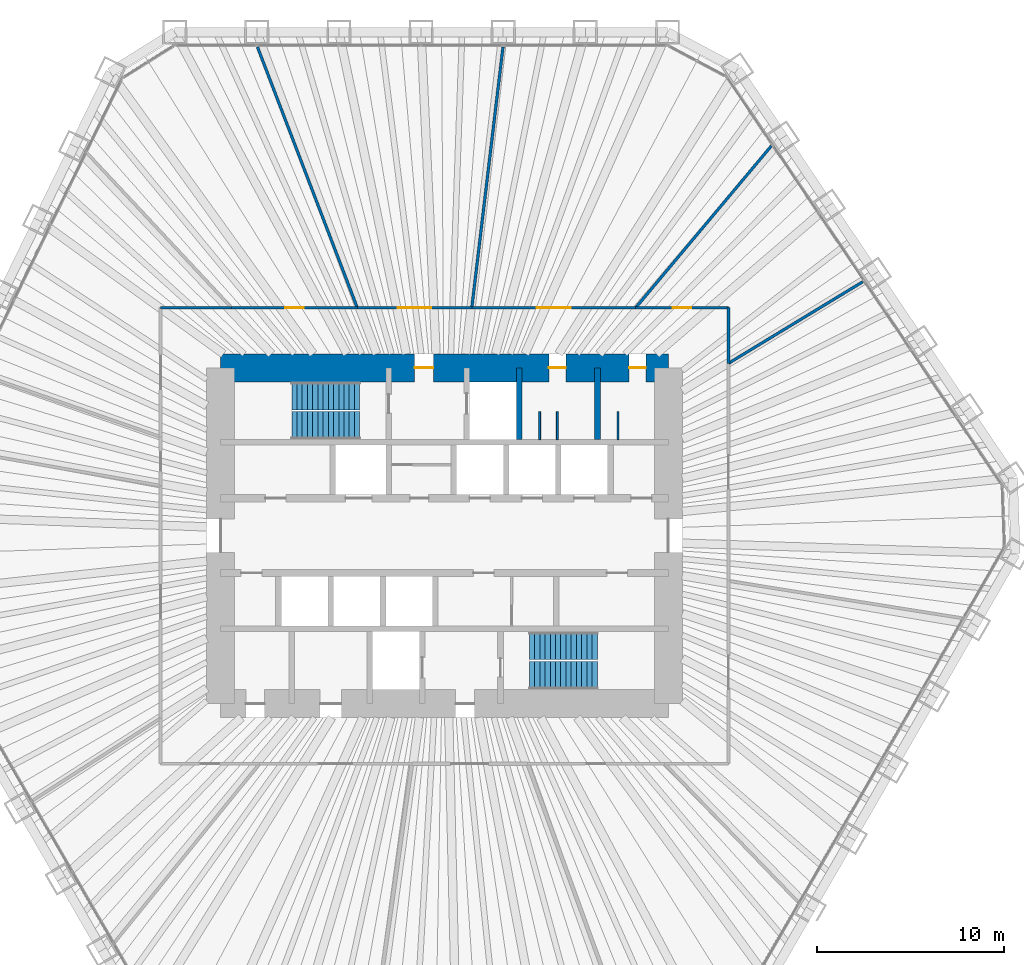
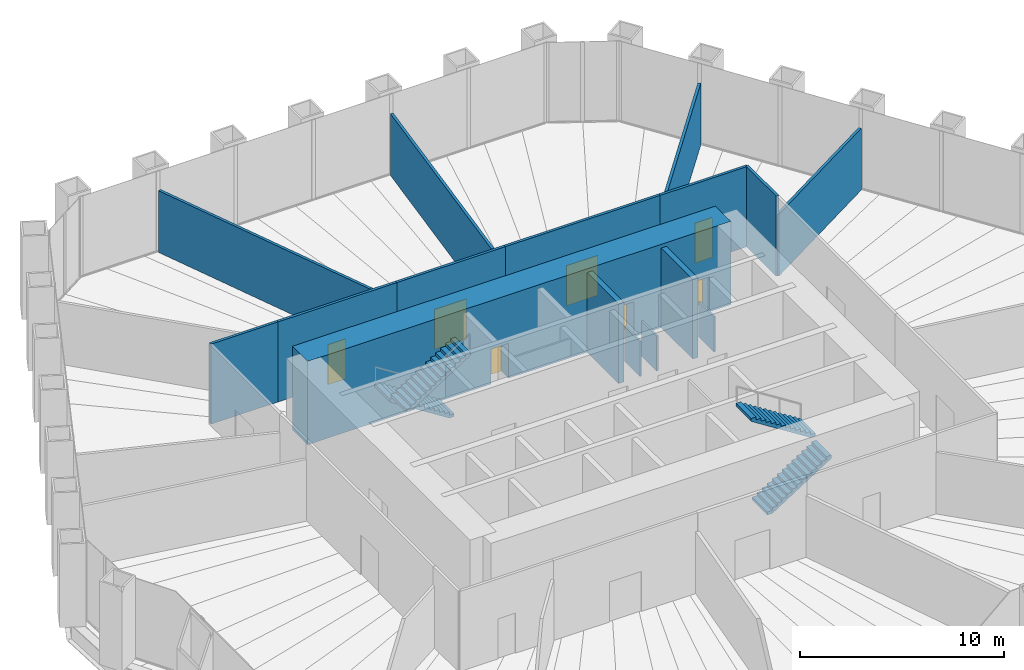
# One storey, part 12 of 13: 16 walls, 7 doors, 4 stair flights, 7 openings, 2 elements without a shape of their own.
"""IFC4 building model written with IfcOpenShell, lengths in metres."""

from ifc_helpers import new_model, si_unit, direction, frame, frame_2d, origin, place, context, subcontext, project, spatial, polyline, rectangle, outline, extrude, material, layer, layer_set, type_object, element, fill, aggregate, save


model = new_model("IFC4")

# Units and contexts
model_context = context("Model", 3, precision=1e-05, world=origin(), true_north=direction((0.0, 1.0)))
body_context = subcontext(model_context, "Body", "Model", "MODEL_VIEW")
ifc_project = project(units=[si_unit("LENGTHUNIT", "METRE"), si_unit("AREAUNIT", "SQUARE_METRE"), si_unit("VOLUMEUNIT", "CUBIC_METRE"), si_unit("PLANEANGLEUNIT", "RADIAN"), si_unit("MASSUNIT", "GRAM", prefix="KILO")], contexts=[model_context])

# Site, building, storey
site_placement = place(None, origin())
site = spatial("IfcSite", under=ifc_project, at=site_placement, CompositionType="ELEMENT")
building_placement = place(site_placement, origin())
building = spatial("IfcBuilding", under=site, at=building_placement, Name="Qingtian Harvest Tower", CompositionType="ELEMENT")
storey_placement = place(building_placement, frame((0.0, 0.0, 87.0)))
storey = spatial("IfcBuildingStorey", under=building, at=storey_placement, Name="L17", CompositionType="ELEMENT", Elevation=87.0)

# Walls
ifc_material_1 = material(Name="Precast concrete shaft panel", Category="concrete")
ifc_layer_1 = layer(ifc_material_1, 0.300048828125)
ifc_layer_set_1 = layer_set([ifc_layer_1], Name="Core shaft partition SW1 300")
wall_type_1 = type_object("IfcWallType", Name="Core shaft partition SW1 300", PredefinedType="PARTITIONING", material=ifc_layer_set_1)
for number, where, z_axis, x_axis, name in (
    (1, (4.0, 5.14990234375, 0.0), (0.0, 0.0, 1.0), (0.0, 1.0, 0.0), "Core shaft partition XN3 L17"),
    (2, (8.199951171875, 5.14990234375, 0.0), (0.0, 0.0, 1.0), (0.0, 1.0, 0.0), "Core shaft partition XN4 L17"),
):
    element("IfcWall", number, at=place(storey_placement, frame(where, z_axis=z_axis, x_axis=x_axis)), inside=storey, type_object=wall_type_1, Name=name, PredefinedType="PARTITIONING", context=body_context, shape_type="SweptSolid", body=[
        extrude(rectangle(XDim=3.85009765625, YDim=0.300048828125, at=frame_2d((1.925048828125, 0.0))), origin(), (0.0, 0.0, 1.0), 4.780029296875),
    ])

# Wall, openings, doors
ifc_material_2 = material(Name="Concrete fc' 70 MPa", Category="concrete")
ifc_layer_2 = layer(ifc_material_2, 1.5)
ifc_layer_set_2 = layer_set([ifc_layer_2], Name="Core wall RC1 1500")
wall_type_2 = type_object("IfcWallType", Name="Core wall RC1 1500", PredefinedType="SHEAR", material=ifc_layer_set_2)
wall_1_placement = place(storey_placement, frame((-12.0, 9.0, 0.0), z_axis=(0.0, 0.0, 1.0), x_axis=(1.0, 0.0, 0.0)))
wall_1 = element("IfcWall", 3, at=wall_1_placement, inside=storey, type_object=wall_type_2, Name="Core wall CN L17", PredefinedType="SHEAR", context=body_context, shape_type="SweptSolid", body=[
    extrude(rectangle(XDim=24.0, YDim=1.5, at=frame_2d((12.0, 0.0))), origin(), (0.0, 0.0, 1.0), 5.0),
])
opening_1_placement = place(wall_1_placement, frame((10.39990234375, 0.0, 0.0)))
opening_1 = element("IfcOpeningElement", 4, at=opening_1_placement, cuts=wall_1, Name="Opening FD1", PredefinedType="OPENING", context=body_context, shape_type="SweptSolid", body=[
    extrude(rectangle(XDim=1.0, YDim=2.10009765625, at=frame_2d((0.5, 1.050048828125))), frame((0.0, 0.760009765625, 0.0), z_axis=(0.0, -1.0, 0.0), x_axis=(1.0, 0.0, 0.0)), (0.0, 0.0, 1.0), 1.52001953125),
])
opening_2_placement = place(wall_1_placement, frame((17.60009765625, 0.0, 0.0)))
opening_2 = element("IfcOpeningElement", 5, at=opening_2_placement, cuts=wall_1, Name="Opening D1", PredefinedType="OPENING", context=body_context, shape_type="SweptSolid", body=[
    extrude(rectangle(XDim=0.89990234375, YDim=2.10009765625, at=frame_2d((0.449951171875, 1.050048828125))), frame((0.0, 0.760009765625, 0.0), z_axis=(0.0, -1.0, 0.0), x_axis=(1.0, 0.0, 0.0)), (0.0, 0.0, 1.0), 1.52001953125),
])
opening_3_placement = place(wall_1_placement, frame((21.89990234375, 0.0, 0.0)))
opening_3 = element("IfcOpeningElement", 6, at=opening_3_placement, cuts=wall_1, Name="Opening D1", PredefinedType="OPENING", context=body_context, shape_type="SweptSolid", body=[
    extrude(rectangle(XDim=0.89990234375, YDim=2.10009765625, at=frame_2d((0.449951171875, 1.050048828125))), frame((0.0, 0.760009765625, 0.0), z_axis=(0.0, -1.0, 0.0), x_axis=(1.0, 0.0, 0.0)), (0.0, 0.0, 1.0), 1.52001953125),
])
ifc_material_3 = material(Name="Steel-faced door leaf", Category="steel")
door_type_1 = type_object("IfcDoorType", Name="Fire door FD1 single 1 HR", OperationType="SINGLE_SWING_LEFT", PredefinedType="DOOR", material=ifc_material_3)
door_1_placement = place(opening_1_placement, origin())
door_1 = element("IfcDoor", 7, at=door_1_placement, inside=storey, type_object=door_type_1, Name="V1 door L17", OperationType="SINGLE_SWING_RIGHT", OverallHeight=2.10009765625, OverallWidth=1.0, PredefinedType="DOOR", context=body_context, shape_type="SweptSolid", body=[
    extrude(rectangle(XDim=1.0, YDim=2.10009765625, at=frame_2d((0.5, 1.050048828125))), frame((0.0, 0.02490234375, 0.0), z_axis=(0.0, -1.0, 0.0), x_axis=(1.0, 0.0, 0.0)), (0.0, 0.0, 1.0), 0.050048828125),
])
fill(opening_1, door_1)
ifc_material_4 = material(Name="Laminated timber door leaf", Category="wood")
door_type_2 = type_object("IfcDoorType", Name="Toilet door D1 single", OperationType="SINGLE_SWING_LEFT", PredefinedType="DOOR", material=ifc_material_4)
door_2_placement = place(opening_2_placement, origin())
door_2 = element("IfcDoor", 8, at=door_2_placement, inside=storey, type_object=door_type_2, Name="WCM door L17", OperationType="SINGLE_SWING_RIGHT", OverallHeight=2.10009765625, OverallWidth=0.89990234375, PredefinedType="DOOR", context=body_context, shape_type="SweptSolid", body=[
    extrude(rectangle(XDim=0.89990234375, YDim=2.10009765625, at=frame_2d((0.449951171875, 1.050048828125))), frame((0.0, 0.02490234375, 0.0), z_axis=(0.0, -1.0, 0.0), x_axis=(1.0, 0.0, 0.0)), (0.0, 0.0, 1.0), 0.050048828125),
])
fill(opening_2, door_2)
door_3_placement = place(opening_3_placement, origin())
door_3 = element("IfcDoor", 9, at=door_3_placement, inside=storey, type_object=door_type_2, Name="WCF door L17", OperationType="SINGLE_SWING_RIGHT", OverallHeight=2.10009765625, OverallWidth=0.89990234375, PredefinedType="DOOR", context=body_context, shape_type="SweptSolid", body=[
    extrude(rectangle(XDim=0.89990234375, YDim=2.10009765625, at=frame_2d((0.449951171875, 1.050048828125))), frame((0.0, 0.02490234375, 0.0), z_axis=(0.0, -1.0, 0.0), x_axis=(1.0, 0.0, 0.0)), (0.0, 0.0, 1.0), 0.050048828125),
])
fill(opening_3, door_3)

# Wall
ifc_material_5 = material(Name="Gypsum board on steel studs", Category="steel")
ifc_layer_3 = layer(ifc_material_5, 0.14990234375)
ifc_layer_set_3 = layer_set([ifc_layer_3], Name="Partition PT1 150")
wall_type_3 = type_object("IfcWallType", Name="Partition PT1 150", PredefinedType="PARTITIONING", material=ifc_layer_set_3)
wall_2_placement = place(storey_placement, frame((-10.031005859375, 26.20654296875, 0.0), z_axis=(0.0, 0.0, 1.0), x_axis=(0.357470544466, -0.933924413344, 0.0)))
element("IfcWall", 10, at=wall_2_placement, inside=storey, type_object=wall_type_3, Name="Leafy greens growing room wall L17", PredefinedType="PARTITIONING", context=body_context, shape_type="SweptSolid", body=[
    extrude(rectangle(XDim=14.970703125, YDim=0.14990234375, at=frame_2d((7.4853515625, 0.0))), origin(), (0.0, 0.0, 1.0), 3.699951171875),
])

# Wall, opening, door
wall_3_placement = place(storey_placement, frame((-4.679443359375, 12.22509765625, 0.0), z_axis=(0.0, 0.0, 1.0), x_axis=(1.0, 0.0, 0.0)))
wall_3 = element("IfcWall", 11, at=wall_3_placement, inside=storey, type_object=wall_type_3, Name="Leafy greens growing room wall L17", PredefinedType="PARTITIONING", context=body_context, shape_type="SweptSolid", body=[
    extrude(rectangle(XDim=6.142333984375, YDim=0.14990234375, at=frame_2d((3.0712890625, 0.0))), origin(), (0.0, 0.0, 1.0), 4.800048828125),
])
opening_4_placement = place(wall_3_placement, frame((2.171142578125, 0.0, 0.0)))
opening_4 = element("IfcOpeningElement", 12, at=opening_4_placement, cuts=wall_3, Name="Opening D3", PredefinedType="OPENING", context=body_context, shape_type="SweptSolid", body=[
    extrude(rectangle(XDim=1.800048828125, YDim=2.39990234375, at=frame_2d((0.89990234375, 1.199951171875))), frame((0.0, 0.0849609375, 0.0), z_axis=(0.0, -1.0, 0.0), x_axis=(1.0, 0.0, 0.0)), (0.0, 0.0, 1.0), 0.169921875),
])
ifc_material_6 = material(Name="Laminated timber door leaf", Category="wood")
door_type_3 = type_object("IfcDoorType", Name="Room door D3 double", OperationType="DOUBLE_DOOR_DOUBLE_SWING", PredefinedType="DOOR", material=ifc_material_6)
door_4_placement = place(opening_4_placement, origin())
door_4 = element("IfcDoor", 13, at=door_4_placement, inside=storey, type_object=door_type_3, Name="Leafy greens growing room door L17", OperationType="DOUBLE_DOOR_DOUBLE_SWING", OverallHeight=2.39990234375, OverallWidth=1.800048828125, PredefinedType="DOOR", context=body_context, shape_type="SweptSolid", body=[
    extrude(rectangle(XDim=1.800048828125, YDim=2.39990234375, at=frame_2d((0.89990234375, 1.199951171875))), frame((0.0, 0.02490234375, 0.0), z_axis=(0.0, -1.0, 0.0), x_axis=(1.0, 0.0, 0.0)), (0.0, 0.0, 1.0), 0.050048828125),
])
fill(opening_4, door_4)

# Wall
wall_4_placement = place(storey_placement, frame((3.135009765625, 26.20068359375, 0.0), z_axis=(0.0, 0.0, 1.0), x_axis=(-0.118798442734, -0.992918390405, 0.0)))
element("IfcWall", 14, at=wall_4_placement, inside=storey, type_object=wall_type_3, Name="Seedling nursery wall L17", PredefinedType="PARTITIONING", context=body_context, shape_type="SweptSolid", body=[
    extrude(rectangle(XDim=14.0751953125, YDim=0.14990234375, at=frame_2d((7.03759765625, 0.0))), origin(), (0.0, 0.0, 1.0), 3.699951171875),
])

# Wall, opening, door
wall_5_placement = place(storey_placement, frame((1.462890625, 12.22509765625, 0.0), z_axis=(0.0, 0.0, 1.0), x_axis=(1.0, 0.0, 0.0)))
wall_5 = element("IfcWall", 15, at=wall_5_placement, inside=storey, type_object=wall_type_3, Name="Seedling nursery wall L17", PredefinedType="PARTITIONING", context=body_context, shape_type="SweptSolid", body=[
    extrude(rectangle(XDim=8.78759765625, YDim=0.14990234375, at=frame_2d((4.393798828125, 0.0))), origin(), (0.0, 0.0, 1.0), 4.800048828125),
])
opening_5_placement = place(wall_5_placement, frame((3.493896484375, 0.0, 0.0)))
opening_5 = element("IfcOpeningElement", 16, at=opening_5_placement, cuts=wall_5, Name="Opening D3", PredefinedType="OPENING", context=body_context, shape_type="SweptSolid", body=[
    extrude(rectangle(XDim=1.800048828125, YDim=2.39990234375, at=frame_2d((0.89990234375, 1.199951171875))), frame((0.0, 0.0849609375, 0.0), z_axis=(0.0, -1.0, 0.0), x_axis=(1.0, 0.0, 0.0)), (0.0, 0.0, 1.0), 0.169921875),
])
door_5_placement = place(opening_5_placement, origin())
door_5 = element("IfcDoor", 17, at=door_5_placement, inside=storey, type_object=door_type_3, Name="Seedling nursery door L17", OperationType="DOUBLE_DOOR_DOUBLE_SWING", OverallHeight=2.39990234375, OverallWidth=1.800048828125, PredefinedType="DOOR", context=body_context, shape_type="SweptSolid", body=[
    extrude(rectangle(XDim=1.800048828125, YDim=2.39990234375, at=frame_2d((0.89990234375, 1.199951171875))), frame((0.0, 0.02490234375, 0.0), z_axis=(0.0, -1.0, 0.0), x_axis=(1.0, 0.0, 0.0)), (0.0, 0.0, 1.0), 0.050048828125),
])
fill(opening_5, door_5)

# Wall
wall_6_placement = place(storey_placement, frame((17.5166015625, 20.890625, 0.0), z_axis=(0.0, 0.0, 1.0), x_axis=(-0.642521498084, -0.766267658524, 0.0)))
element("IfcWall", 18, at=wall_6_placement, inside=storey, type_object=wall_type_3, Name="Nutrient dosing room wall L17", PredefinedType="PARTITIONING", context=body_context, shape_type="SweptSolid", body=[
    extrude(rectangle(XDim=11.308837890625, YDim=0.14990234375, at=frame_2d((5.654296875, 0.0))), origin(), (0.0, 0.0, 1.0), 3.699951171875),
])

# Wall, opening, door
wall_7_placement = place(storey_placement, frame((10.25048828125, 12.22509765625, 0.0), z_axis=(0.0, 0.0, 1.0), x_axis=(1.0, 0.0, 0.0)))
wall_7 = element("IfcWall", 19, at=wall_7_placement, inside=storey, type_object=wall_type_3, Name="Nutrient dosing room wall L17", PredefinedType="PARTITIONING", context=body_context, shape_type="SweptSolid", body=[
    extrude(rectangle(XDim=4.974609375, YDim=0.14990234375, at=frame_2d((2.4873046875, 0.0))), origin(), (0.0, 0.0, 1.0), 4.800048828125),
])
opening_6_placement = place(wall_7_placement, frame((1.9873046875, 0.0, 0.0)))
opening_6 = element("IfcOpeningElement", 20, at=opening_6_placement, cuts=wall_7, Name="Opening D2", PredefinedType="OPENING", context=body_context, shape_type="SweptSolid", body=[
    extrude(rectangle(XDim=1.0, YDim=2.39990234375, at=frame_2d((0.5, 1.199951171875))), frame((0.0, 0.0849609375, 0.0), z_axis=(0.0, -1.0, 0.0), x_axis=(1.0, 0.0, 0.0)), (0.0, 0.0, 1.0), 0.169921875),
])
ifc_material_7 = material(Name="Laminated timber door leaf", Category="wood")
door_type_4 = type_object("IfcDoorType", Name="Room door D2 single", OperationType="SINGLE_SWING_LEFT", PredefinedType="DOOR", material=ifc_material_7)
door_6_placement = place(opening_6_placement, origin())
door_6 = element("IfcDoor", 21, at=door_6_placement, inside=storey, type_object=door_type_4, Name="Nutrient dosing room door L17", OperationType="SINGLE_SWING_LEFT", OverallHeight=2.39990234375, OverallWidth=1.0, PredefinedType="DOOR", context=body_context, shape_type="SweptSolid", body=[
    extrude(rectangle(XDim=1.0, YDim=2.39990234375, at=frame_2d((0.5, 1.199951171875))), frame((0.0, 0.02490234375, 0.0), z_axis=(0.0, -1.0, 0.0), x_axis=(1.0, 0.0, 0.0)), (0.0, 0.0, 1.0), 0.050048828125),
])
fill(opening_6, door_6)

# Walls
wall_8_placement = place(storey_placement, frame((15.22509765625, 12.22509765625, 0.0), z_axis=(0.0, 0.0, 1.0), x_axis=(0.0, -1.0, 0.0)))
element("IfcWall", 22, at=wall_8_placement, inside=storey, type_object=wall_type_3, Name="Nutrient dosing room wall L17", PredefinedType="PARTITIONING", context=body_context, shape_type="SweptSolid", body=[
    extrude(rectangle(XDim=2.98193359375, YDim=0.14990234375, at=frame_2d((1.490966796875, 0.0))), origin(), (0.0, 0.0, 1.0), 4.800048828125),
])
wall_9_placement = place(storey_placement, frame((22.42138671875, 13.6123046875, 0.0), z_axis=(0.0, 0.0, 1.0), x_axis=(-0.854789353023, -0.518975107263, 0.0)))
element("IfcWall", 23, at=wall_9_placement, inside=storey, type_object=wall_type_3, Name="Microgreens growing room wall L17", PredefinedType="PARTITIONING", context=body_context, shape_type="SweptSolid", body=[
    extrude(rectangle(XDim=8.418701171875, YDim=0.14990234375, at=frame_2d((4.20947265625, 0.0))), origin(), (0.0, 0.0, 1.0), 3.699951171875),
])
wall_10_placement = place(storey_placement, frame((-15.22509765625, 12.22509765625, 0.0), z_axis=(0.0, 0.0, 1.0), x_axis=(1.0, 0.0, 0.0)))
element("IfcWall", 24, at=wall_10_placement, inside=storey, type_object=wall_type_3, Name="Dispatch room wall L17", PredefinedType="PARTITIONING", context=body_context, shape_type="SweptSolid", body=[
    extrude(rectangle(XDim=3.80322265625, YDim=0.14990234375, at=frame_2d((1.901611328125, 0.0))), origin(), (0.0, 0.0, 1.0), 4.800048828125),
])

# Wall, opening, door
wall_11_placement = place(storey_placement, frame((-11.421875, 12.22509765625, 0.0), z_axis=(0.0, 0.0, 1.0), x_axis=(1.0, 0.0, 0.0)))
wall_11 = element("IfcWall", 25, at=wall_11_placement, inside=storey, type_object=wall_type_3, Name="Packaging store wall L17", PredefinedType="PARTITIONING", context=body_context, shape_type="SweptSolid", body=[
    extrude(rectangle(XDim=6.742431640625, YDim=0.14990234375, at=frame_2d((3.37109375, 0.0))), origin(), (0.0, 0.0, 1.0), 4.800048828125),
])
opening_7_placement = place(wall_11_placement, frame((2.871337890625, 0.0, 0.0)))
opening_7 = element("IfcOpeningElement", 26, at=opening_7_placement, cuts=wall_11, Name="Opening D2", PredefinedType="OPENING", context=body_context, shape_type="SweptSolid", body=[
    extrude(rectangle(XDim=1.0, YDim=2.39990234375, at=frame_2d((0.5, 1.199951171875))), frame((0.0, 0.0849609375, 0.0), z_axis=(0.0, -1.0, 0.0), x_axis=(1.0, 0.0, 0.0)), (0.0, 0.0, 1.0), 0.169921875),
])
door_7_placement = place(opening_7_placement, origin())
door_7 = element("IfcDoor", 27, at=door_7_placement, inside=storey, type_object=door_type_4, Name="Packaging store door L17", OperationType="SINGLE_SWING_LEFT", OverallHeight=2.39990234375, OverallWidth=1.0, PredefinedType="DOOR", context=body_context, shape_type="SweptSolid", body=[
    extrude(rectangle(XDim=1.0, YDim=2.39990234375, at=frame_2d((0.5, 1.199951171875))), frame((0.0, 0.02490234375, 0.0), z_axis=(0.0, -1.0, 0.0), x_axis=(1.0, 0.0, 0.0)), (0.0, 0.0, 1.0), 0.050048828125),
])
fill(opening_7, door_7)

# Walls
ifc_material_8 = material(Name="Compact laminate cubicle partition", Category="plastic")
ifc_layer_4 = layer(ifc_material_8, 0.10009765625)
ifc_layer_set_4 = layer_set([ifc_layer_4], Name="WC cubicle partition WP1 100")
wall_type_4 = type_object("IfcWallType", Name="WC cubicle partition WP1 100", PredefinedType="PARTITIONING", material=ifc_layer_set_4)
for number, where, z_axis, x_axis, name in (
    (28, (5.10009765625, 5.14990234375, 0.0), (0.0, 0.0, 1.0), (0.0, 1.0, 0.0), "WC cubicle partition WCM L17"),
    (29, (6.050048828125, 5.14990234375, 0.0), (0.0, 0.0, 1.0), (0.0, 1.0, 0.0), "WC cubicle partition WCM L17"),
    (30, (9.300048828125, 5.14990234375, 0.0), (0.0, 0.0, 1.0), (0.0, 1.0, 0.0), "WC cubicle partition WCF L17"),
):
    element("IfcWall", number, at=place(storey_placement, frame(where, z_axis=z_axis, x_axis=x_axis)), inside=storey, type_object=wall_type_4, Name=name, PredefinedType="PARTITIONING", context=body_context, shape_type="SweptSolid", body=[
        extrude(rectangle(XDim=1.5, YDim=0.10009765625, at=frame_2d((0.75, 0.0))), origin(), (0.0, 0.0, 1.0), 2.10009765625),
    ])

# Stair, stair flights
ifc_material_9 = material(Name="Concrete fc' 35 MPa", Category="concrete")
stair_type = type_object("IfcStairType", Name="Special stair ST2 5000", PredefinedType="HALF_TURN_STAIR", material=ifc_material_9)
stair_1_placement = place(storey_placement, origin())
stair_1 = element("IfcStair", 31, at=stair_1_placement, inside=storey, type_object=stair_type, Name="Special stair S1 L17", PredefinedType="HALF_TURN_STAIR")
ifc_material_10 = material(Name="Concrete fc' 35 MPa", Category="concrete")
stair_flight_type = type_object("IfcStairFlightType", Name="Stair flight SF2 5000", PredefinedType="STRAIGHT", material=ifc_material_10)
stair_flight_1_placement = place(storey_placement, frame((-4.550048828125, 7.5, 0.0), z_axis=(0.0, 0.0, 1.0), x_axis=(-1.0, 0.0, 0.0)))
stair_flight_1 = element("IfcStairFlight", 32, at=stair_flight_1_placement, type_object=stair_flight_type, Name="S1 flight 1", NumberOfRisers=14, NumberOfTreads=13, PredefinedType="STRAIGHT", RiserHeight=0.178571429, TreadLength=0.28, context=body_context, shape_type="SweptSolid", body=[
    extrude(outline(polyline([(0.0, 0.0), (0.0, 0.178466796875), (0.280029296875, 0.178466796875), (0.280029296875, 0.357177734375), (0.56005859375, 0.357177734375), (0.56005859375, 0.53564453125), (0.840087890625, 0.53564453125), (0.840087890625, 0.71435546875), (1.1201171875, 0.71435546875), (1.1201171875, 0.892822265625), (1.39990234375, 0.892822265625), (1.39990234375, 1.071533203125), (1.679931640625, 1.071533203125), (1.679931640625, 1.25), (1.9599609375, 1.25), (1.9599609375, 1.428466796875), (2.239990234375, 1.428466796875), (2.239990234375, 1.607177734375), (2.52001953125, 1.607177734375), (2.52001953125, 1.78564453125), (2.800048828125, 1.78564453125), (2.800048828125, 1.96435546875), (3.080078125, 1.96435546875), (3.080078125, 2.142822265625), (3.360107421875, 2.142822265625), (3.360107421875, 2.321533203125), (3.639892578125, 2.321533203125), (3.639892578125, 2.5), (3.639892578125, 2.1435546875), (0.27880859375, 0.0), (0.0, 0.0)])), frame((0.0, 0.75, 0.0), z_axis=(0.0, -1.0, 0.0), x_axis=(1.0, 0.0, 0.0)), (0.0, 0.0, 1.0), 1.5),
])
stair_flight_2_placement = place(storey_placement, frame((-8.18994140625, 5.89990234375, 2.5), z_axis=(0.0, 0.0, 1.0), x_axis=(1.0, 0.0, 0.0)))
stair_flight_2 = element("IfcStairFlight", 33, at=stair_flight_2_placement, type_object=stair_flight_type, Name="S1 flight 2", NumberOfRisers=14, NumberOfTreads=13, PredefinedType="STRAIGHT", RiserHeight=0.178571429, TreadLength=0.28, context=body_context, shape_type="SweptSolid", body=[
    extrude(outline(polyline([(0.0, 0.0), (0.0, 0.178466796875), (0.280029296875, 0.178466796875), (0.280029296875, 0.357177734375), (0.56005859375, 0.357177734375), (0.56005859375, 0.53564453125), (0.840087890625, 0.53564453125), (0.840087890625, 0.71435546875), (1.1201171875, 0.71435546875), (1.1201171875, 0.892822265625), (1.39990234375, 0.892822265625), (1.39990234375, 1.071533203125), (1.679931640625, 1.071533203125), (1.679931640625, 1.25), (1.9599609375, 1.25), (1.9599609375, 1.428466796875), (2.239990234375, 1.428466796875), (2.239990234375, 1.607177734375), (2.52001953125, 1.607177734375), (2.52001953125, 1.78564453125), (2.800048828125, 1.78564453125), (2.800048828125, 1.96435546875), (3.080078125, 1.96435546875), (3.080078125, 2.142822265625), (3.360107421875, 2.142822265625), (3.360107421875, 2.321533203125), (3.639892578125, 2.321533203125), (3.639892578125, 2.5), (3.639892578125, 2.1435546875), (0.27880859375, 0.0), (0.0, 0.0)])), frame((0.0, 0.75, 0.0), z_axis=(0.0, -1.0, 0.0), x_axis=(1.0, 0.0, 0.0)), (0.0, 0.0, 1.0), 1.5),
])
aggregate(stair_1, [stair_flight_1, stair_flight_2])

stair_2_placement = place(storey_placement, origin())
stair_2 = element("IfcStair", 34, at=stair_2_placement, inside=storey, type_object=stair_type, Name="Special stair S2 L17", PredefinedType="HALF_TURN_STAIR")
stair_flight_3_placement = place(storey_placement, frame((4.550048828125, -7.5, 0.0), z_axis=(0.0, 0.0, 1.0), x_axis=(1.0, 0.0, 0.0)))
stair_flight_3 = element("IfcStairFlight", 35, at=stair_flight_3_placement, type_object=stair_flight_type, Name="S2 flight 1", NumberOfRisers=14, NumberOfTreads=13, PredefinedType="STRAIGHT", RiserHeight=0.178571429, TreadLength=0.28, context=body_context, shape_type="SweptSolid", body=[
    extrude(outline(polyline([(0.0, 0.0), (0.0, 0.178466796875), (0.280029296875, 0.178466796875), (0.280029296875, 0.357177734375), (0.56005859375, 0.357177734375), (0.56005859375, 0.53564453125), (0.840087890625, 0.53564453125), (0.840087890625, 0.71435546875), (1.1201171875, 0.71435546875), (1.1201171875, 0.892822265625), (1.39990234375, 0.892822265625), (1.39990234375, 1.071533203125), (1.679931640625, 1.071533203125), (1.679931640625, 1.25), (1.9599609375, 1.25), (1.9599609375, 1.428466796875), (2.239990234375, 1.428466796875), (2.239990234375, 1.607177734375), (2.52001953125, 1.607177734375), (2.52001953125, 1.78564453125), (2.800048828125, 1.78564453125), (2.800048828125, 1.96435546875), (3.080078125, 1.96435546875), (3.080078125, 2.142822265625), (3.360107421875, 2.142822265625), (3.360107421875, 2.321533203125), (3.639892578125, 2.321533203125), (3.639892578125, 2.5), (3.639892578125, 2.1435546875), (0.27880859375, 0.0), (0.0, 0.0)])), frame((0.0, 0.75, 0.0), z_axis=(0.0, -1.0, 0.0), x_axis=(1.0, 0.0, 0.0)), (0.0, 0.0, 1.0), 1.5),
])
stair_flight_4_placement = place(storey_placement, frame((8.18994140625, -5.89990234375, 2.5), z_axis=(0.0, 0.0, 1.0), x_axis=(-1.0, 0.0, 0.0)))
stair_flight_4 = element("IfcStairFlight", 36, at=stair_flight_4_placement, type_object=stair_flight_type, Name="S2 flight 2", NumberOfRisers=14, NumberOfTreads=13, PredefinedType="STRAIGHT", RiserHeight=0.178571429, TreadLength=0.28, context=body_context, shape_type="SweptSolid", body=[
    extrude(outline(polyline([(0.0, 0.0), (0.0, 0.178466796875), (0.280029296875, 0.178466796875), (0.280029296875, 0.357177734375), (0.56005859375, 0.357177734375), (0.56005859375, 0.53564453125), (0.840087890625, 0.53564453125), (0.840087890625, 0.71435546875), (1.1201171875, 0.71435546875), (1.1201171875, 0.892822265625), (1.39990234375, 0.892822265625), (1.39990234375, 1.071533203125), (1.679931640625, 1.071533203125), (1.679931640625, 1.25), (1.9599609375, 1.25), (1.9599609375, 1.428466796875), (2.239990234375, 1.428466796875), (2.239990234375, 1.607177734375), (2.52001953125, 1.607177734375), (2.52001953125, 1.78564453125), (2.800048828125, 1.78564453125), (2.800048828125, 1.96435546875), (3.080078125, 1.96435546875), (3.080078125, 2.142822265625), (3.360107421875, 2.142822265625), (3.360107421875, 2.321533203125), (3.639892578125, 2.321533203125), (3.639892578125, 2.5), (3.639892578125, 2.1435546875), (0.27880859375, 0.0), (0.0, 0.0)])), frame((0.0, 0.75, 0.0), z_axis=(0.0, -1.0, 0.0), x_axis=(1.0, 0.0, 0.0)), (0.0, 0.0, 1.0), 1.5),
])
aggregate(stair_2, [stair_flight_3, stair_flight_4])

save(model, "model.ifc")
